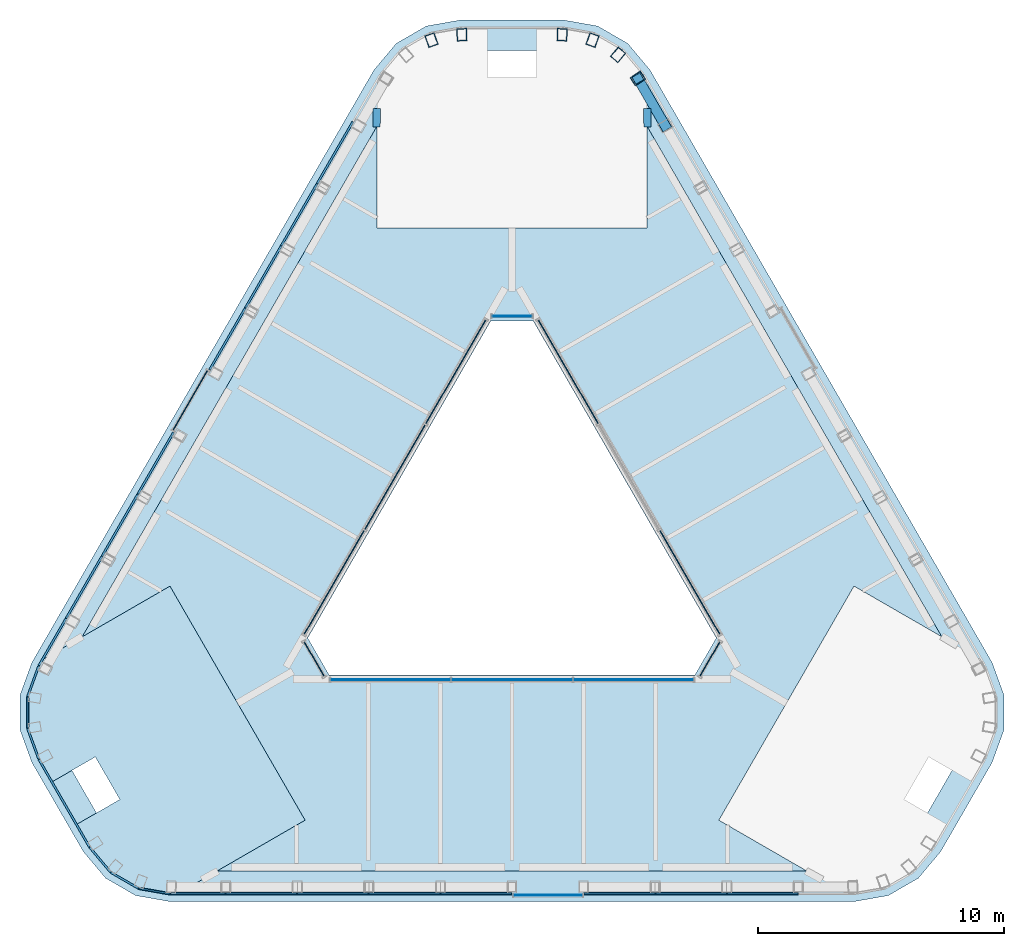
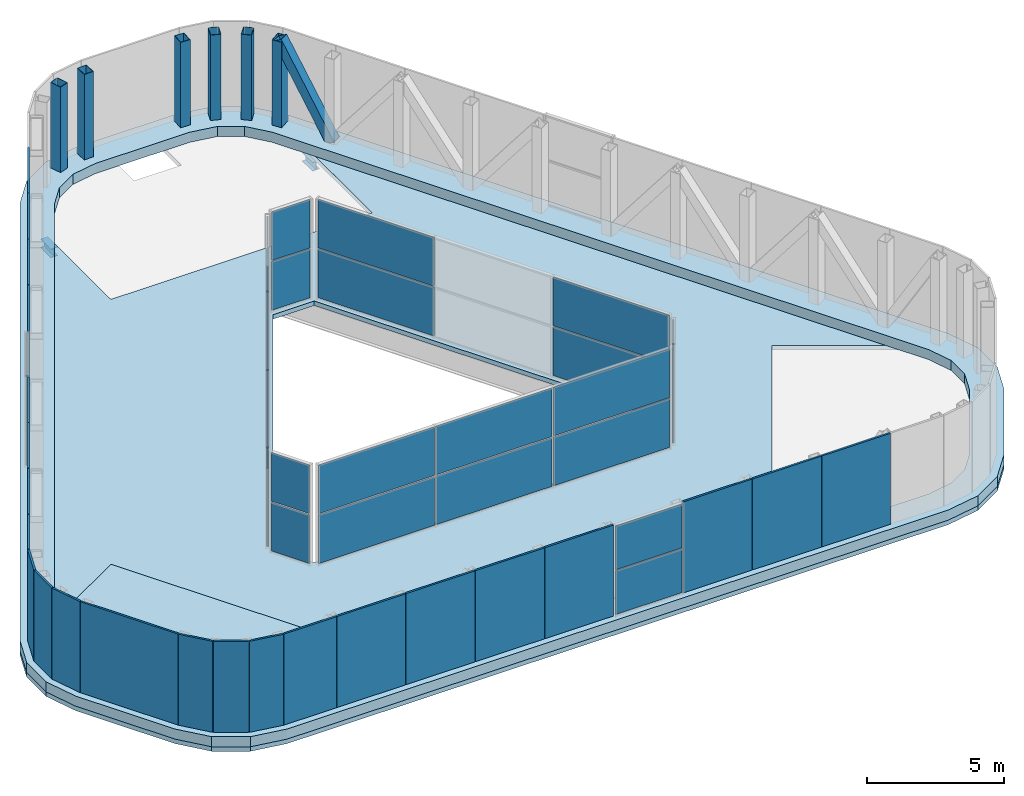
# One storey, part 4 of 5: 49 plates, 7 members, 3 slabs, 2 beams, 8 elements without a shape of their own.
"""IFC4 building model written with IfcOpenShell, lengths in metres."""

from ifc_helpers import new_model, si_unit, direction, frame, origin, origin_2d, place, context, subcontext, project, spatial, polyline, rectangle, hollow_rectangle, i_section, outline, extrude, material, layer, layer_set, material_profile, profile_set, type_object, element, aggregate, save


model = new_model("IFC4")

# Units and contexts
model_context = context("Model", 3, precision=1e-05, world=origin(), true_north=direction((0.0, 1.0)))
body_context = subcontext(model_context, "Body", "Model", "MODEL_VIEW")
ifc_project = project(units=[si_unit("LENGTHUNIT", "METRE"), si_unit("AREAUNIT", "SQUARE_METRE"), si_unit("VOLUMEUNIT", "CUBIC_METRE"), si_unit("PLANEANGLEUNIT", "RADIAN"), si_unit("MASSUNIT", "GRAM", prefix="KILO")], contexts=[model_context])

# Site, building, storey
site_placement = place(None, origin())
site = spatial("IfcSite", under=ifc_project, at=site_placement, CompositionType="ELEMENT")
building_placement = place(site_placement, origin())
building = spatial("IfcBuilding", under=site, at=building_placement, Name="Apuvela Tower Hotel", CompositionType="ELEMENT")
storey_placement = place(building_placement, frame((0.0, 0.0, 348.800048828125)))
storey = spatial("IfcBuildingStorey", under=building, at=storey_placement, Name="R-2 ROOF", CompositionType="ELEMENT", Elevation=348.800048828125)

# Members
ifc_material_1 = material(Name="Steel S355, black paint system", Category="steel")
ifc_material_profile_1 = material_profile(ifc_material_1, hollow_rectangle(XDim=0.39990234375, YDim=0.39990234375, WallThickness=0.01611328125, at=origin_2d()), Name="HSS 400x400x16")
ifc_profile_set_1 = profile_set([ifc_material_profile_1], Name="Steel S355, black paint system")
member_type_1 = type_object("IfcMemberType", Name="ENV-CROWN-BRACE-400x400", PredefinedType="BRACE", material=ifc_profile_set_1)
member_placement = place(storey_placement, frame((6.236572265625, 17.050537109375, 0.449951171875), z_axis=(-0.252533890551, 0.437303965939, 0.863129118671), x_axis=(-0.865977099567, -0.500083656027, 0.0)))
element("IfcMember", 1, at=member_placement, inside=storey, type_object=member_type_1, Name="Crown frame brace 50", PredefinedType="BRACE", context=body_context, shape_type="SweptSolid", body=[
    extrude(hollow_rectangle(XDim=0.39990234375, YDim=0.39990234375, WallThickness=0.01611328125, at=origin_2d()), origin(), (0.0, 0.0, 1.0), 4.402587890625),
])
ifc_material_profile_2 = material_profile(ifc_material_1, hollow_rectangle(XDim=0.39990234375, YDim=0.5, WallThickness=0.02001953125, at=origin_2d()), Name="HSS 500x400x20")
ifc_profile_set_2 = profile_set([ifc_material_profile_2], Name="Steel S355, black paint system")
member_type_2 = type_object("IfcMemberType", Name="ENV-CROWN-POST-500x400", PredefinedType="POST", material=ifc_profile_set_2)
for number, where, z_axis, x_axis, name in (
    (2, (4.318115234375, 19.9375, 0.449951171875), (0.0, 0.0, 1.0), (-0.763579690807, 0.645713601984, 0.0), "Crown frame post 1"),
    (3, (3.277099609375, 20.538330078125, 0.449951171875), (0.0, 0.0, 1.0), (-0.940994228291, 0.33842260906, 0.0), "Crown frame post 2"),
    (4, (2.041015625, 20.75634765625, 0.449951171875), (0.0, 0.0, 1.0), (-0.999161138639, 0.040951422845, 0.0), "Crown frame post 3"),
    (5, (-2.041015625, 20.75634765625, 0.449951171875), (0.0, 0.0, 1.0), (-0.999161138639, -0.040951422845, 0.0), "Crown frame post 4"),
    (6, (-3.277099609375, 20.538330078125, 0.449951171875), (0.0, 0.0, 1.0), (-0.940994228291, -0.33842260906, 0.0), "Crown frame post 5"),
    (7, (5.124755859375, 18.975830078125, 0.449951171875), (0.0, 0.0, 1.0), (-0.553467140498, 0.832871013056, 0.0), "Crown frame post 51"),
):
    element("IfcMember", number, at=place(storey_placement, frame(where, z_axis=z_axis, x_axis=x_axis)), inside=storey, type_object=member_type_2, Name=name, PredefinedType="POST", context=body_context, shape_type="SweptSolid", body=[
        extrude(hollow_rectangle(XDim=0.39990234375, YDim=0.5, WallThickness=0.02001953125, at=origin_2d()), origin(), (0.0, 0.0, 1.0), 3.800048828125),
    ])

# Beams
ifc_material_2 = material(Name="Steel S355", Category="steel")
ifc_material_profile_3 = material_profile(ifc_material_2, i_section(OverallWidth=0.300048828125, OverallDepth=0.389892578125, WebThickness=0.010986328125, FlangeThickness=0.01904296875, at=origin_2d()), Name="HE 400 A")
ifc_profile_set_3 = profile_set([ifc_material_profile_3], Name="Steel S355")
beam_type = type_object("IfcBeamType", Name="STR-SB spandrel beam HE 400 A", PredefinedType="SPANDREL", material=ifc_profile_set_3)
for number, where, z_axis, x_axis, name in (
    (8, (5.515380859375, 17.00244140625, -0.39501953125), (-0.020397309927, 0.999791953232, 0.0), (-0.999791953232, -0.020397309927, 0.0), "Spandrel beam SB4 NE5-N"),
    (9, (-5.515380859375, 17.00244140625, -0.39501953125), (0.020397309927, 0.999791953232, 0.0), (-0.999791953232, 0.020397309927, 0.0), "Spandrel beam SB4 NW1-N"),
):
    element("IfcBeam", number, at=place(storey_placement, frame(where, z_axis=z_axis, x_axis=x_axis)), inside=storey, type_object=beam_type, Name=name, PredefinedType="SPANDREL", context=body_context, shape_type="SweptSolid", body=[
        extrude(i_section(OverallWidth=0.300048828125, OverallDepth=0.389892578125, WebThickness=0.010986328125, FlangeThickness=0.01904296875, at=origin_2d()), origin(), (0.0, 0.0, 1.0), 0.754150390625),
    ])

# Slabs
ifc_material_3 = material(Name="Concrete C50/60", Category="concrete")
ifc_layer_1 = layer(ifc_material_3, 0.199951171875)
ifc_layer_set_1 = layer_set([ifc_layer_1], Name="COR-ROOF-200")
slab_type_1 = type_object("IfcSlabType", Name="COR-ROOF-200", PredefinedType="ROOF", material=ifc_layer_set_1)
slab_1_placement = place(storey_placement, frame((0.0, 0.0, -0.199951171875)))
element("IfcSlab", 10, at=slab_1_placement, inside=storey, type_object=slab_type_1, Name="Core roof SW", PredefinedType="ROOF", context=body_context, shape_type="SweptSolid", body=[
    extrude(outline(polyline([(-13.553955078125, -14.17626953125), (-8.421630859375, -11.213134765625), (-13.921630859375, -1.68701171875), (-19.053955078125, -4.64990234375), (-19.223388671875, -4.943603515625), (-19.67529296875, -6.185302734375), (-19.67529296875, -7.47509765625), (-19.223388671875, -8.716796875), (-18.692138671875, -9.63720703125), (-16.9599609375, -8.63720703125), (-15.9599609375, -10.369140625), (-17.692138671875, -11.369140625), (-17.16064453125, -12.289794921875), (-16.311279296875, -13.3017578125), (-15.194091796875, -13.94677734375), (-13.89306640625, -14.17626953125), (-13.553955078125, -14.17626953125)])), origin(), (0.0, 0.0, 1.0), 0.199951171875),
])
ifc_material_4 = material(Name="Concrete C40/50, crown base kerb", Category="concrete")
ifc_layer_2 = layer(ifc_material_4, 0.449951171875)
ifc_layer_set_2 = layer_set([ifc_layer_2], Name="ENV-CROWN-KERB-450")
slab_type_2 = type_object("IfcSlabType", Name="ENV-CROWN-KERB-450", PredefinedType="ROOF", material=ifc_layer_set_2)
slab_2_placement = place(storey_placement, origin())
element("IfcSlab", 11, at=slab_2_placement, inside=storey, type_object=slab_type_2, Name="Crown base kerb", PredefinedType="ROOF", context=body_context, shape_type="SweptSolid", body=[
    extrude(outline(polyline([(5.6181640625, 19.3212890625), (4.709716796875, 20.404296875), (3.485595703125, 21.11083984375), (2.093505859375, 21.3564453125), (-2.093505859375, 21.3564453125), (-3.485595703125, 21.11083984375), (-4.709716796875, 20.404296875), (-5.6181640625, 19.3212890625), (-19.5419921875, -4.795166015625), (-20.025390625, -6.12353515625), (-20.025390625, -7.536865234375), (-19.5419921875, -8.865234375), (-17.448486328125, -12.4912109375), (-16.539794921875, -13.573974609375), (-15.315673828125, -14.28076171875), (-13.923583984375, -14.526123046875), (13.923583984375, -14.526123046875), (15.315673828125, -14.28076171875), (16.539794921875, -13.573974609375), (17.448486328125, -12.4912109375), (19.5419921875, -8.865234375), (20.025390625, -7.536865234375), (20.025390625, -6.12353515625), (19.5419921875, -4.795166015625), (5.6181640625, 19.3212890625)]), holes=[polyline([(3.893798828125, 19.431884765625), (3.051513671875, 19.918212890625), (1.984130859375, 20.1064453125), (-1.984130859375, 20.1064453125), (-3.051513671875, 19.918212890625), (-3.893798828125, 19.431884765625), (-4.59033203125, 18.601806640625), (-18.40478515625, -5.325439453125), (-18.775390625, -6.343994140625), (-18.775390625, -7.31640625), (-18.40478515625, -8.3349609375), (-16.420654296875, -11.771484375), (-15.72412109375, -12.601806640625), (-14.881591796875, -13.087890625), (-13.814453125, -13.276123046875), (13.814453125, -13.276123046875), (14.881591796875, -13.087890625), (15.72412109375, -12.601806640625), (16.420654296875, -11.771484375), (18.40478515625, -8.3349609375), (18.775390625, -7.31640625), (18.775390625, -6.343994140625), (18.40478515625, -5.325439453125), (4.59033203125, 18.601806640625), (3.893798828125, 19.431884765625)])]), origin(), (0.0, 0.0, 1.0), 0.449951171875),
])

# Plates
ifc_material_5 = material(Name="Aluminium 6063-T6, black anodised perforated panel", Category="aluminium")
ifc_layer_3 = layer(ifc_material_5, 0.080078125)
ifc_layer_set_3 = layer_set([ifc_layer_3], Name="ENV-CROWN-SCREEN-80")
plate_type_1 = type_object("IfcPlateType", Name="ENV-CROWN-SCREEN-80", PredefinedType="SHEET", material=ifc_layer_set_3)
for number, where, z_axis, x_axis, name in (
    (12, (-7.206298828125, 15.95068359375, 0.44970703125), (0.0, 0.0, 1.0), (-0.5, -0.866025403784, 0.0), "Crown screen 8"),
    (13, (-8.6650390625, 13.42431640625, 0.44970703125), (0.0, 0.0, 1.0), (-0.5, -0.866025403784, 0.0), "Crown screen 9"),
    (14, (-10.12353515625, 10.897705078125, 0.44970703125), (0.0, 0.0, 1.0), (-0.5, -0.866025403784, 0.0), "Crown screen 10"),
    (15, (-11.582275390625, 8.371337890625, 0.44970703125), (0.0, 0.0, 1.0), (-0.5, -0.866025403784, 0.0), "Crown screen 11"),
    (16, (-14.49951171875, 3.318359375, 0.44970703125), (0.0, 0.0, 1.0), (-0.5, -0.866025403784, 0.0), "Crown screen 13"),
    (17, (-15.958251953125, 0.7919921875, 0.44970703125), (0.0, 0.0, 1.0), (-0.5, -0.866025403784, 0.0), "Crown screen 14"),
    (18, (-17.4169921875, -1.734619140625, 0.44970703125), (0.0, 0.0, 1.0), (-0.5, -0.866025403784, 0.0), "Crown screen 15"),
):
    element("IfcPlate", number, at=place(storey_placement, frame(where, z_axis=z_axis, x_axis=x_axis)), inside=storey, type_object=plate_type_1, Name=name, PredefinedType="SHEET", context=body_context, shape_type="SweptSolid", body=[
        extrude(rectangle(XDim=2.897216796875, YDim=0.080078125, at=origin_2d()), origin(), (0.0, 0.0, 1.0), 4.050048828125),
    ])
plate_1_placement = place(storey_placement, frame((-18.702880859375, -3.962158203125, 0.44970703125), z_axis=(0.0, 0.0, 1.0), x_axis=(-0.5, -0.866025403784, 0.0)))
element("IfcPlate", 19, at=plate_1_placement, inside=storey, type_object=plate_type_1, Name="Crown screen 16", PredefinedType="SHEET", context=body_context, shape_type="SweptSolid", body=[
    extrude(rectangle(XDim=2.20751953125, YDim=0.080078125, at=origin_2d()), origin(), (0.0, 0.0, 1.0), 4.050048828125),
])
plate_2_placement = place(storey_placement, frame((-19.487548828125, -5.552490234375, 0.44970703125), z_axis=(0.0, 0.0, 1.0), x_axis=(-0.342020143326, -0.939692620786, 0.0)))
element("IfcPlate", 20, at=plate_2_placement, inside=storey, type_object=plate_type_1, Name="Crown screen 17", PredefinedType="SHEET", context=body_context, shape_type="SweptSolid", body=[
    extrude(rectangle(XDim=1.311767578125, YDim=0.080078125, at=origin_2d()), origin(), (0.0, 0.0, 1.0), 4.050048828125),
])
plate_3_placement = place(storey_placement, frame((-19.71533203125, -6.830078125, 0.44970703125), z_axis=(0.0, 0.0, 1.0), x_axis=(0.0, -1.0, 0.0)))
element("IfcPlate", 21, at=plate_3_placement, inside=storey, type_object=plate_type_1, Name="Crown screen 18", PredefinedType="SHEET", context=body_context, shape_type="SweptSolid", body=[
    extrude(rectangle(XDim=1.2841796875, YDim=0.080078125, at=origin_2d()), origin(), (0.0, 0.0, 1.0), 4.050048828125),
])
plate_4_placement = place(storey_placement, frame((-19.487548828125, -8.10791015625, 0.44970703125), z_axis=(0.0, 0.0, 1.0), x_axis=(0.342020143326, -0.939692620786, 0.0)))
element("IfcPlate", 22, at=plate_4_placement, inside=storey, type_object=plate_type_1, Name="Crown screen 19", PredefinedType="SHEET", context=body_context, shape_type="SweptSolid", body=[
    extrude(rectangle(XDim=1.311767578125, YDim=0.080078125, at=origin_2d()), origin(), (0.0, 0.0, 1.0), 4.050048828125),
])
plate_5_placement = place(storey_placement, frame((-18.226806640625, -10.523193359375, 0.44970703125), z_axis=(0.0, 0.0, 1.0), x_axis=(0.5, -0.866025403784, 0.0)))
element("IfcPlate", 23, at=plate_5_placement, inside=storey, type_object=plate_type_1, Name="Crown screen 20", PredefinedType="SHEET", context=body_context, shape_type="SweptSolid", body=[
    extrude(rectangle(XDim=4.11279296875, YDim=0.080078125, at=origin_2d()), origin(), (0.0, 0.0, 1.0), 4.050048828125),
])
plate_6_placement = place(storey_placement, frame((-16.765380859375, -12.82275390625, 0.44970703125), z_axis=(0.0, 0.0, 1.0), x_axis=(0.642787609687, -0.766044443119, 0.0)))
element("IfcPlate", 24, at=plate_6_placement, inside=storey, type_object=plate_type_1, Name="Crown screen 21", PredefinedType="SHEET", context=body_context, shape_type="SweptSolid", body=[
    extrude(rectangle(XDim=1.311767578125, YDim=0.080078125, at=origin_2d()), origin(), (0.0, 0.0, 1.0), 4.050048828125),
])
plate_7_placement = place(storey_placement, frame((-15.772705078125, -13.658935546875, 0.44970703125), z_axis=(0.0, 0.0, 1.0), x_axis=(0.866025403784, -0.5, 0.0)))
element("IfcPlate", 25, at=plate_7_placement, inside=storey, type_object=plate_type_1, Name="Crown screen 22", PredefinedType="SHEET", context=body_context, shape_type="SweptSolid", body=[
    extrude(rectangle(XDim=1.2841796875, YDim=0.080078125, at=origin_2d()), origin(), (0.0, 0.0, 1.0), 4.050048828125),
])
plate_8_placement = place(storey_placement, frame((-14.55224609375, -14.1005859375, 0.44970703125), z_axis=(0.0, 0.0, 1.0), x_axis=(0.984807753012, -0.173648177667, 0.0)))
element("IfcPlate", 26, at=plate_8_placement, inside=storey, type_object=plate_type_1, Name="Crown screen 23", PredefinedType="SHEET", context=body_context, shape_type="SweptSolid", body=[
    extrude(rectangle(XDim=1.311767578125, YDim=0.080078125, at=origin_2d()), origin(), (0.0, 0.0, 1.0), 4.050048828125),
])
plate_9_placement = place(storey_placement, frame((-12.782958984375, -14.21630859375, 0.44970703125), z_axis=(0.0, 0.0, 1.0), x_axis=(1.0, 0.0, 0.0)))
element("IfcPlate", 27, at=plate_9_placement, inside=storey, type_object=plate_type_1, Name="Crown screen 24", PredefinedType="SHEET", context=body_context, shape_type="SweptSolid", body=[
    extrude(rectangle(XDim=2.20751953125, YDim=0.080078125, at=origin_2d()), origin(), (0.0, 0.0, 1.0), 4.050048828125),
])
for number, where, z_axis, x_axis, name in (
    (28, (-10.210693359375, -14.21630859375, 0.44970703125), (0.0, 0.0, 1.0), (1.0, 0.0, 0.0), "Crown screen 25"),
    (29, (-7.293212890625, -14.21630859375, 0.44970703125), (0.0, 0.0, 1.0), (1.0, 0.0, 0.0), "Crown screen 26"),
    (30, (-4.3759765625, -14.21630859375, 0.44970703125), (0.0, 0.0, 1.0), (1.0, 0.0, 0.0), "Crown screen 27"),
    (31, (-1.458740234375, -14.21630859375, 0.44970703125), (0.0, 0.0, 1.0), (1.0, 0.0, 0.0), "Crown screen 28"),
    (32, (4.3759765625, -14.21630859375, 0.44970703125), (0.0, 0.0, 1.0), (1.0, 0.0, 0.0), "Crown screen 30"),
    (33, (7.293212890625, -14.21630859375, 0.44970703125), (0.0, 0.0, 1.0), (1.0, 0.0, 0.0), "Crown screen 31"),
    (34, (10.210693359375, -14.21630859375, 0.44970703125), (0.0, 0.0, 1.0), (1.0, 0.0, 0.0), "Crown screen 32"),
):
    element("IfcPlate", number, at=place(storey_placement, frame(where, z_axis=z_axis, x_axis=x_axis)), inside=storey, type_object=plate_type_1, Name=name, PredefinedType="SHEET", context=body_context, shape_type="SweptSolid", body=[
        extrude(rectangle(XDim=2.897216796875, YDim=0.080078125, at=origin_2d()), origin(), (0.0, 0.0, 1.0), 4.050048828125),
    ])

# Curtain wall, plates
ifc_material_6 = material(Name="Aluminium 6063-T6, dark bronze anodised", Category="aluminium")
ifc_layer_4 = layer(ifc_material_6, 0.199951171875)
ifc_layer_set_4 = layer_set([ifc_layer_4], Name="ENV-CW-C")
curtain_wall_type_1 = type_object("IfcCurtainWallType", Name="ENV-CW-C", PredefinedType="NOTDEFINED", material=ifc_layer_set_4)
curtain_wall_1_placement = place(storey_placement, origin())
curtain_wall_1 = element("IfcCurtainWall", 35, at=curtain_wall_1_placement, inside=storey, type_object=curtain_wall_type_1, Name="Crown glazing 12 R-2 ROOF", PredefinedType="NOTDEFINED")
ifc_material_7 = material(Name="Glass, dark tinted laminated insulated glazing unit", Category="glass")
ifc_layer_5 = layer(ifc_material_7, 0.0400390625)
ifc_layer_set_5 = layer_set([ifc_layer_5], Name="ENV-PANEL-IGU-40")
plate_type_2 = type_object("IfcPlateType", Name="ENV-PANEL-IGU-40", PredefinedType="CURTAIN_PANEL", material=ifc_layer_set_5)
plate_10_placement = place(storey_placement, frame((-13.093017578125, 5.874755859375, 0.51513671875), z_axis=(0.0, 0.0, 1.0), x_axis=(-0.499980601426, -0.866036603266, 0.0)))
plate_10 = element("IfcPlate", 36, at=plate_10_placement, type_object=plate_type_2, Name="CW-C panel 1.1", PredefinedType="CURTAIN_PANEL", context=body_context, shape_type="SweptSolid", body=[
    extrude(rectangle(XDim=2.787353515625, YDim=0.0400390625, at=origin_2d()), origin(), (0.0, 0.0, 1.0), 1.927490234375),
])
plate_11_placement = place(storey_placement, frame((-13.093017578125, 5.874755859375, 2.50732421875), z_axis=(0.0, 0.0, 1.0), x_axis=(-0.499980601426, -0.866036603266, 0.0)))
plate_11 = element("IfcPlate", 37, at=plate_11_placement, type_object=plate_type_2, Name="CW-C panel 1.2", PredefinedType="CURTAIN_PANEL", context=body_context, shape_type="SweptSolid", body=[
    extrude(rectangle(XDim=2.787353515625, YDim=0.0400390625, at=origin_2d()), origin(), (0.0, 0.0, 1.0), 1.927490234375),
])
aggregate(curtain_wall_1, [plate_10, plate_11])

curtain_wall_2_placement = place(storey_placement, origin())
curtain_wall_2 = element("IfcCurtainWall", 38, at=curtain_wall_2_placement, inside=storey, type_object=curtain_wall_type_1, Name="Crown glazing 29 R-2 ROOF", PredefinedType="NOTDEFINED")
plate_12_placement = place(storey_placement, frame((1.458740234375, -14.276123046875, 0.51513671875), z_axis=(0.0, 0.0, 1.0), x_axis=(1.0, 0.0, 0.0)))
plate_12 = element("IfcPlate", 39, at=plate_12_placement, type_object=plate_type_2, Name="CW-C panel 1.1", PredefinedType="CURTAIN_PANEL", context=body_context, shape_type="SweptSolid", body=[
    extrude(rectangle(XDim=2.787353515625, YDim=0.0400390625, at=origin_2d()), origin(), (0.0, 0.0, 1.0), 1.927490234375),
])
plate_13_placement = place(storey_placement, frame((1.458740234375, -14.276123046875, 2.50732421875), z_axis=(0.0, 0.0, 1.0), x_axis=(1.0, 0.0, 0.0)))
plate_13 = element("IfcPlate", 40, at=plate_13_placement, type_object=plate_type_2, Name="CW-C panel 1.2", PredefinedType="CURTAIN_PANEL", context=body_context, shape_type="SweptSolid", body=[
    extrude(rectangle(XDim=2.787353515625, YDim=0.0400390625, at=origin_2d()), origin(), (0.0, 0.0, 1.0), 1.927490234375),
])
aggregate(curtain_wall_2, [plate_12, plate_13])

ifc_layer_6 = layer(ifc_material_6, 0.199951171875)
ifc_layer_set_6 = layer_set([ifc_layer_6], Name="ENV-CW-A")
curtain_wall_type_2 = type_object("IfcCurtainWallType", Name="ENV-CW-A", PredefinedType="NOTDEFINED", material=ifc_layer_set_6)
curtain_wall_3_placement = place(storey_placement, origin())
curtain_wall_3 = element("IfcCurtainWall", 41, at=curtain_wall_3_placement, inside=storey, type_object=curtain_wall_type_2, Name="Atrium glazing 1 R-2 ROOF", PredefinedType="NOTDEFINED")
plate_14_placement = place(storey_placement, frame((0.0, 9.300048828125, 0.06494140625), z_axis=(0.0, 0.0, 1.0), x_axis=(-1.0, 0.0, 0.0)))
plate_14 = element("IfcPlate", 42, at=plate_14_placement, type_object=plate_type_2, Name="CW-A panel 1.1", PredefinedType="CURTAIN_PANEL", context=body_context, shape_type="SweptSolid", body=[
    extrude(rectangle(XDim=1.60205078125, YDim=0.0400390625, at=origin_2d()), origin(), (0.0, 0.0, 1.0), 2.152587890625),
])
plate_15_placement = place(storey_placement, frame((0.0, 9.300048828125, 2.2822265625), z_axis=(0.0, 0.0, 1.0), x_axis=(-1.0, 0.0, 0.0)))
plate_15 = element("IfcPlate", 43, at=plate_15_placement, type_object=plate_type_2, Name="CW-A panel 1.2", PredefinedType="CURTAIN_PANEL", context=body_context, shape_type="SweptSolid", body=[
    extrude(rectangle(XDim=1.60205078125, YDim=0.0400390625, at=origin_2d()), origin(), (0.0, 0.0, 1.0), 2.152587890625),
])
aggregate(curtain_wall_3, [plate_14, plate_15])

curtain_wall_4_placement = place(storey_placement, origin())
curtain_wall_4 = element("IfcCurtainWall", 44, at=curtain_wall_4_placement, inside=storey, type_object=curtain_wall_type_2, Name="Atrium glazing 2 R-2 ROOF", PredefinedType="NOTDEFINED")
plate_16_placement = place(storey_placement, frame((-2.28857421875, 7.035888671875, 0.06494140625), z_axis=(0.0, 0.0, 1.0), x_axis=(-0.499999069899, -0.866025940778, 0.0)))
plate_16 = element("IfcPlate", 45, at=plate_16_placement, type_object=plate_type_2, Name="CW-A panel 1.1", PredefinedType="CURTAIN_PANEL", context=body_context, shape_type="SweptSolid", body=[
    extrude(rectangle(XDim=4.86767578125, YDim=0.0400390625, at=origin_2d()), origin(), (0.0, 0.0, 1.0), 2.152587890625),
])
plate_17_placement = place(storey_placement, frame((-2.28857421875, 7.035888671875, 2.2822265625), z_axis=(0.0, 0.0, 1.0), x_axis=(-0.499999069899, -0.866025940778, 0.0)))
plate_17 = element("IfcPlate", 46, at=plate_17_placement, type_object=plate_type_2, Name="CW-A panel 1.2", PredefinedType="CURTAIN_PANEL", context=body_context, shape_type="SweptSolid", body=[
    extrude(rectangle(XDim=4.86767578125, YDim=0.0400390625, at=origin_2d()), origin(), (0.0, 0.0, 1.0), 2.152587890625),
])
plate_18_placement = place(storey_placement, frame((-4.76318359375, 2.75, 0.06494140625), z_axis=(0.0, 0.0, 1.0), x_axis=(-0.499999069899, -0.866025940778, 0.0)))
plate_18 = element("IfcPlate", 47, at=plate_18_placement, type_object=plate_type_2, Name="CW-A panel 2.1", PredefinedType="CURTAIN_PANEL", context=body_context, shape_type="SweptSolid", body=[
    extrude(rectangle(XDim=4.900146484375, YDim=0.0400390625, at=origin_2d()), origin(), (0.0, 0.0, 1.0), 2.152587890625),
])
plate_19_placement = place(storey_placement, frame((-4.76318359375, 2.75, 2.2822265625), z_axis=(0.0, 0.0, 1.0), x_axis=(-0.499999069899, -0.866025940778, 0.0)))
plate_19 = element("IfcPlate", 48, at=plate_19_placement, type_object=plate_type_2, Name="CW-A panel 2.2", PredefinedType="CURTAIN_PANEL", context=body_context, shape_type="SweptSolid", body=[
    extrude(rectangle(XDim=4.900146484375, YDim=0.0400390625, at=origin_2d()), origin(), (0.0, 0.0, 1.0), 2.152587890625),
])
plate_20_placement = place(storey_placement, frame((-7.237548828125, -1.535888671875, 0.06494140625), z_axis=(0.0, 0.0, 1.0), x_axis=(-0.499999069899, -0.866025940778, 0.0)))
plate_20 = element("IfcPlate", 49, at=plate_20_placement, type_object=plate_type_2, Name="CW-A panel 3.1", PredefinedType="CURTAIN_PANEL", context=body_context, shape_type="SweptSolid", body=[
    extrude(rectangle(XDim=4.86767578125, YDim=0.0400390625, at=origin_2d()), origin(), (0.0, 0.0, 1.0), 2.152587890625),
])
plate_21_placement = place(storey_placement, frame((-7.237548828125, -1.535888671875, 2.2822265625), z_axis=(0.0, 0.0, 1.0), x_axis=(-0.499999069899, -0.866025940778, 0.0)))
plate_21 = element("IfcPlate", 50, at=plate_21_placement, type_object=plate_type_2, Name="CW-A panel 3.2", PredefinedType="CURTAIN_PANEL", context=body_context, shape_type="SweptSolid", body=[
    extrude(rectangle(XDim=4.86767578125, YDim=0.0400390625, at=origin_2d()), origin(), (0.0, 0.0, 1.0), 2.152587890625),
])
aggregate(curtain_wall_4, [plate_16, plate_17, plate_18, plate_19, plate_20, plate_21])

curtain_wall_5_placement = place(storey_placement, origin())
curtain_wall_5 = element("IfcCurtainWall", 51, at=curtain_wall_5_placement, inside=storey, type_object=curtain_wall_type_2, Name="Atrium glazing 3 R-2 ROOF", PredefinedType="NOTDEFINED")
plate_22_placement = place(storey_placement, frame((-8.053955078125, -4.64990234375, 0.06494140625), z_axis=(0.0, 0.0, 1.0), x_axis=(0.49998899972, -0.866031754706, 0.0)))
plate_22 = element("IfcPlate", 52, at=plate_22_placement, type_object=plate_type_2, Name="CW-A panel 1.1", PredefinedType="CURTAIN_PANEL", context=body_context, shape_type="SweptSolid", body=[
    extrude(rectangle(XDim=1.60205078125, YDim=0.0400390625, at=origin_2d()), origin(), (0.0, 0.0, 1.0), 2.152587890625),
])
plate_23_placement = place(storey_placement, frame((-8.053955078125, -4.64990234375, 2.2822265625), z_axis=(0.0, 0.0, 1.0), x_axis=(0.49998899972, -0.866031754706, 0.0)))
plate_23 = element("IfcPlate", 53, at=plate_23_placement, type_object=plate_type_2, Name="CW-A panel 1.2", PredefinedType="CURTAIN_PANEL", context=body_context, shape_type="SweptSolid", body=[
    extrude(rectangle(XDim=1.60205078125, YDim=0.0400390625, at=origin_2d()), origin(), (0.0, 0.0, 1.0), 2.152587890625),
])
aggregate(curtain_wall_5, [plate_22, plate_23])

curtain_wall_6_placement = place(storey_placement, origin())
curtain_wall_6 = element("IfcCurtainWall", 54, at=curtain_wall_6_placement, inside=storey, type_object=curtain_wall_type_2, Name="Atrium glazing 4 R-2 ROOF", PredefinedType="NOTDEFINED")
plate_24_placement = place(storey_placement, frame((-4.948974609375, -5.5, 0.06494140625), z_axis=(0.0, 0.0, 1.0), x_axis=(1.0, 0.0, 0.0)))
plate_24 = element("IfcPlate", 55, at=plate_24_placement, type_object=plate_type_2, Name="CW-A panel 1.1", PredefinedType="CURTAIN_PANEL", context=body_context, shape_type="SweptSolid", body=[
    extrude(rectangle(XDim=4.86767578125, YDim=0.0400390625, at=origin_2d()), origin(), (0.0, 0.0, 1.0), 2.152587890625),
])
plate_25_placement = place(storey_placement, frame((-4.948974609375, -5.5, 2.2822265625), z_axis=(0.0, 0.0, 1.0), x_axis=(1.0, 0.0, 0.0)))
plate_25 = element("IfcPlate", 56, at=plate_25_placement, type_object=plate_type_2, Name="CW-A panel 1.2", PredefinedType="CURTAIN_PANEL", context=body_context, shape_type="SweptSolid", body=[
    extrude(rectangle(XDim=4.86767578125, YDim=0.0400390625, at=origin_2d()), origin(), (0.0, 0.0, 1.0), 2.152587890625),
])
plate_26_placement = place(storey_placement, frame((0.0, -5.5, 0.06494140625), z_axis=(0.0, 0.0, 1.0), x_axis=(1.0, 0.0, 0.0)))
plate_26 = element("IfcPlate", 57, at=plate_26_placement, type_object=plate_type_2, Name="CW-A panel 2.1", PredefinedType="CURTAIN_PANEL", context=body_context, shape_type="SweptSolid", body=[
    extrude(rectangle(XDim=4.900146484375, YDim=0.0400390625, at=origin_2d()), origin(), (0.0, 0.0, 1.0), 2.152587890625),
])
plate_27_placement = place(storey_placement, frame((0.0, -5.5, 2.2822265625), z_axis=(0.0, 0.0, 1.0), x_axis=(1.0, 0.0, 0.0)))
plate_27 = element("IfcPlate", 58, at=plate_27_placement, type_object=plate_type_2, Name="CW-A panel 2.2", PredefinedType="CURTAIN_PANEL", context=body_context, shape_type="SweptSolid", body=[
    extrude(rectangle(XDim=4.900146484375, YDim=0.0400390625, at=origin_2d()), origin(), (0.0, 0.0, 1.0), 2.152587890625),
])
plate_28_placement = place(storey_placement, frame((4.948974609375, -5.5, 0.06494140625), z_axis=(0.0, 0.0, 1.0), x_axis=(1.0, 0.0, 0.0)))
plate_28 = element("IfcPlate", 59, at=plate_28_placement, type_object=plate_type_2, Name="CW-A panel 3.1", PredefinedType="CURTAIN_PANEL", context=body_context, shape_type="SweptSolid", body=[
    extrude(rectangle(XDim=4.86767578125, YDim=0.0400390625, at=origin_2d()), origin(), (0.0, 0.0, 1.0), 2.152587890625),
])
plate_29_placement = place(storey_placement, frame((4.948974609375, -5.5, 2.2822265625), z_axis=(0.0, 0.0, 1.0), x_axis=(1.0, 0.0, 0.0)))
plate_29 = element("IfcPlate", 60, at=plate_29_placement, type_object=plate_type_2, Name="CW-A panel 3.2", PredefinedType="CURTAIN_PANEL", context=body_context, shape_type="SweptSolid", body=[
    extrude(rectangle(XDim=4.86767578125, YDim=0.0400390625, at=origin_2d()), origin(), (0.0, 0.0, 1.0), 2.152587890625),
])
aggregate(curtain_wall_6, [plate_24, plate_25, plate_26, plate_27, plate_28, plate_29])

curtain_wall_7_placement = place(storey_placement, origin())
curtain_wall_7 = element("IfcCurtainWall", 61, at=curtain_wall_7_placement, inside=storey, type_object=curtain_wall_type_2, Name="Atrium glazing 5 R-2 ROOF", PredefinedType="NOTDEFINED")
plate_30_placement = place(storey_placement, frame((8.053955078125, -4.64990234375, 0.06494140625), z_axis=(0.0, 0.0, 1.0), x_axis=(0.49998899972, 0.866031754706, 0.0)))
plate_30 = element("IfcPlate", 62, at=plate_30_placement, type_object=plate_type_2, Name="CW-A panel 1.1", PredefinedType="CURTAIN_PANEL", context=body_context, shape_type="SweptSolid", body=[
    extrude(rectangle(XDim=1.60205078125, YDim=0.0400390625, at=origin_2d()), origin(), (0.0, 0.0, 1.0), 2.152587890625),
])
plate_31_placement = place(storey_placement, frame((8.053955078125, -4.64990234375, 2.2822265625), z_axis=(0.0, 0.0, 1.0), x_axis=(0.49998899972, 0.866031754706, 0.0)))
plate_31 = element("IfcPlate", 63, at=plate_31_placement, type_object=plate_type_2, Name="CW-A panel 1.2", PredefinedType="CURTAIN_PANEL", context=body_context, shape_type="SweptSolid", body=[
    extrude(rectangle(XDim=1.60205078125, YDim=0.0400390625, at=origin_2d()), origin(), (0.0, 0.0, 1.0), 2.152587890625),
])
aggregate(curtain_wall_7, [plate_30, plate_31])

curtain_wall_8_placement = place(storey_placement, origin())
curtain_wall_8 = element("IfcCurtainWall", 64, at=curtain_wall_8_placement, inside=storey, type_object=curtain_wall_type_2, Name="Atrium glazing 6 R-2 ROOF", PredefinedType="NOTDEFINED")
plate_32_placement = place(storey_placement, frame((7.237548828125, -1.535888671875, 0.06494140625), z_axis=(0.0, 0.0, 1.0), x_axis=(-0.499999069899, 0.866025940778, 0.0)))
plate_32 = element("IfcPlate", 65, at=plate_32_placement, type_object=plate_type_2, Name="CW-A panel 1.1", PredefinedType="CURTAIN_PANEL", context=body_context, shape_type="SweptSolid", body=[
    extrude(rectangle(XDim=4.86767578125, YDim=0.0400390625, at=origin_2d()), origin(), (0.0, 0.0, 1.0), 2.152587890625),
])
plate_33_placement = place(storey_placement, frame((7.237548828125, -1.535888671875, 2.2822265625), z_axis=(0.0, 0.0, 1.0), x_axis=(-0.499999069899, 0.866025940778, 0.0)))
plate_33 = element("IfcPlate", 66, at=plate_33_placement, type_object=plate_type_2, Name="CW-A panel 1.2", PredefinedType="CURTAIN_PANEL", context=body_context, shape_type="SweptSolid", body=[
    extrude(rectangle(XDim=4.86767578125, YDim=0.0400390625, at=origin_2d()), origin(), (0.0, 0.0, 1.0), 2.152587890625),
])
plate_34_placement = place(storey_placement, frame((2.28857421875, 7.035888671875, 0.06494140625), z_axis=(0.0, 0.0, 1.0), x_axis=(-0.499999069899, 0.866025940778, 0.0)))
plate_34 = element("IfcPlate", 67, at=plate_34_placement, type_object=plate_type_2, Name="CW-A panel 3.1", PredefinedType="CURTAIN_PANEL", context=body_context, shape_type="SweptSolid", body=[
    extrude(rectangle(XDim=4.86767578125, YDim=0.0400390625, at=origin_2d()), origin(), (0.0, 0.0, 1.0), 2.152587890625),
])
plate_35_placement = place(storey_placement, frame((2.28857421875, 7.035888671875, 2.2822265625), z_axis=(0.0, 0.0, 1.0), x_axis=(-0.499999069899, 0.866025940778, 0.0)))
plate_35 = element("IfcPlate", 68, at=plate_35_placement, type_object=plate_type_2, Name="CW-A panel 3.2", PredefinedType="CURTAIN_PANEL", context=body_context, shape_type="SweptSolid", body=[
    extrude(rectangle(XDim=4.86767578125, YDim=0.0400390625, at=origin_2d()), origin(), (0.0, 0.0, 1.0), 2.152587890625),
])
aggregate(curtain_wall_8, [plate_32, plate_33, plate_34, plate_35])

# Slab
ifc_material_8 = material(Name="Concrete C35/45", Category="concrete")
ifc_layer_7 = layer(ifc_material_8, 0.199951171875)
ifc_layer_set_7 = layer_set([ifc_layer_7], Name="STR-SLAB 200 roof Concrete C35/45")
slab_type_3 = type_object("IfcSlabType", Name="STR-SLAB 200 roof Concrete C35/45", PredefinedType="ROOF", material=ifc_layer_set_7)
slab_3_placement = place(storey_placement, frame((0.0, 0.0, -0.199951171875)))
element("IfcSlab", 69, at=slab_3_placement, inside=storey, type_object=slab_type_3, Name="Roof slab S7 R-2 ROOF", PredefinedType="ROOF", context=body_context, shape_type="SweptSolid", body=[
    extrude(outline(polyline([(5.6181640625, 19.3212890625), (4.709716796875, 20.404296875), (3.485595703125, 21.11083984375), (2.093505859375, 21.3564453125), (-2.093505859375, 21.3564453125), (-3.485595703125, 21.11083984375), (-4.709716796875, 20.404296875), (-5.6181640625, 19.3212890625), (-19.5419921875, -4.795166015625), (-20.025390625, -6.12353515625), (-20.025390625, -7.536865234375), (-19.5419921875, -8.865234375), (-17.448486328125, -12.4912109375), (-16.539794921875, -13.573974609375), (-15.315673828125, -14.28076171875), (-13.923583984375, -14.526123046875), (13.923583984375, -14.526123046875), (15.315673828125, -14.28076171875), (16.539794921875, -13.573974609375), (17.448486328125, -12.4912109375), (19.5419921875, -8.865234375), (20.025390625, -7.536865234375), (20.025390625, -6.12353515625), (19.5419921875, -4.795166015625), (5.6181640625, 19.3212890625)]), holes=[polyline([(0.865966796875, 9.10009765625), (-0.865966796875, 9.10009765625), (-8.313720703125, -3.800048828125), (-7.44775390625, -5.300048828125), (7.44775390625, -5.300048828125), (8.313720703125, -3.800048828125), (0.865966796875, 9.10009765625)]), polyline([(-5.5, 12.89990234375), (-5.5, 18.826171875), (-5.330322265625, 19.119873046875), (-4.481201171875, 20.1318359375), (-3.364013671875, 20.777099609375), (-2.06298828125, 21.00634765625), (2.06298828125, 21.00634765625), (3.364013671875, 20.777099609375), (4.481201171875, 20.1318359375), (5.330322265625, 19.119873046875), (5.5, 18.826171875), (5.5, 12.89990234375), (-5.5, 12.89990234375)]), polyline([(-8.421630859375, -11.213134765625), (-13.553955078125, -14.17626953125), (-13.89306640625, -14.17626953125), (-15.194091796875, -13.94677734375), (-16.311279296875, -13.3017578125), (-17.16064453125, -12.289794921875), (-19.223388671875, -8.716796875), (-19.67529296875, -7.47509765625), (-19.67529296875, -6.185302734375), (-19.223388671875, -4.943603515625), (-19.053955078125, -4.64990234375), (-13.921630859375, -1.68701171875), (-8.421630859375, -11.213134765625)]), polyline([(13.921630859375, -1.68701171875), (19.053955078125, -4.64990234375), (19.223388671875, -4.943603515625), (19.67529296875, -6.185302734375), (19.67529296875, -7.47509765625), (19.223388671875, -8.716796875), (17.16064453125, -12.289794921875), (16.311279296875, -13.3017578125), (15.194091796875, -13.94677734375), (13.89306640625, -14.17626953125), (13.553955078125, -14.17626953125), (8.421630859375, -11.213134765625), (13.921630859375, -1.68701171875)])]), origin(), (0.0, 0.0, 1.0), 0.199951171875),
])

save(model, "model.ifc")
